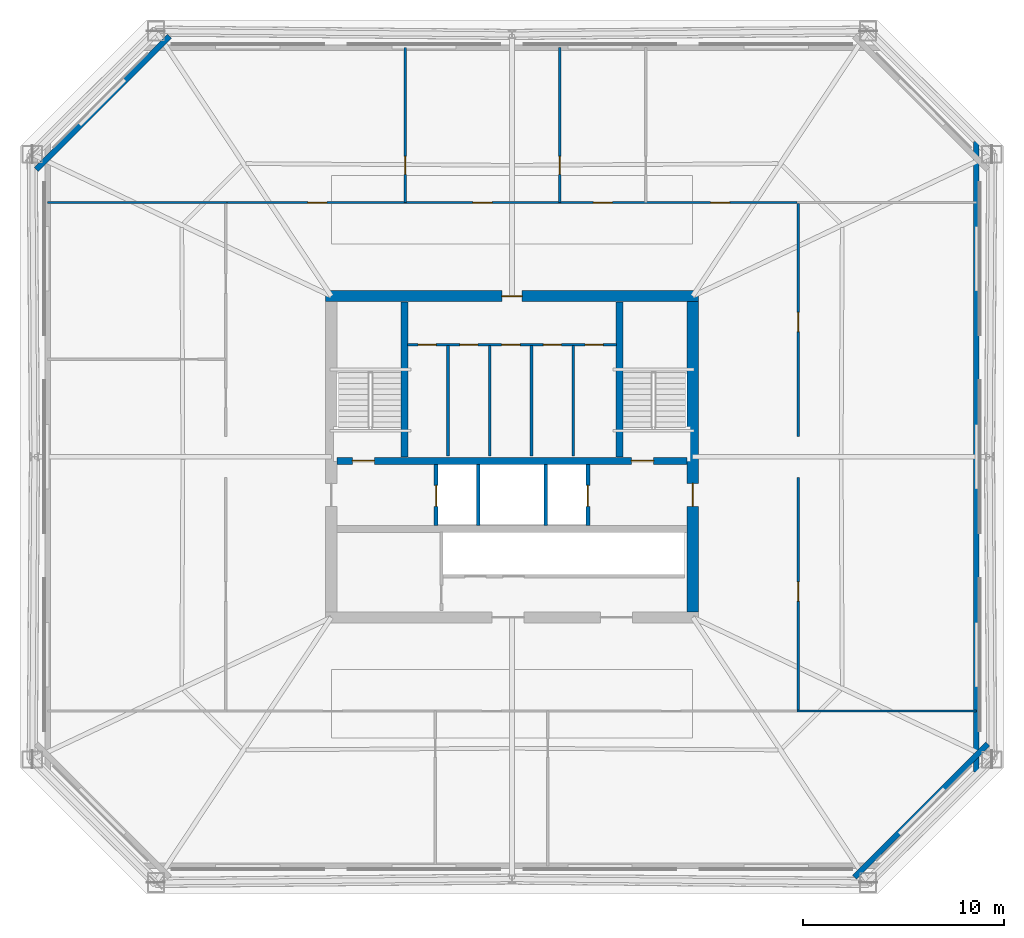
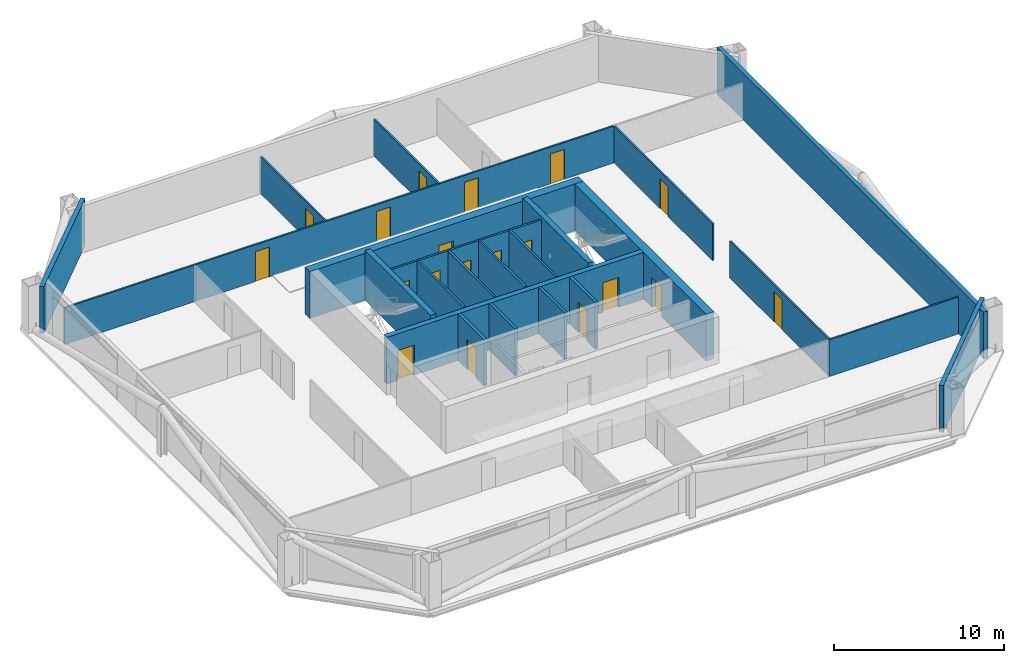
# One storey, part 3 of 6: 24 walls, 19 doors, 19 openings.
"""IFC4 building model written with IfcOpenShell, lengths in metres."""

import ifcopenshell
import ifcopenshell.guid

model = None  # the IFC model being written
_history = None  # IfcOwnerHistory: only IFC2X3 demands one
_inside = {}  # id of a spatial element -> (the spatial element, [elements in it])
_under = {}  # id of a project, library or spatial element -> (it, [spatial elements below it])
_declared = {}  # id of a project -> (the project, [libraries it declares])
_typed = {}  # id of a type object -> (the type object, [elements of that type])
_made_of = {}  # id of a material, layer set ... -> (it, [elements and type objects made of it])


def new_model(schema):
    """Start an empty IFC model of exactly this schema.

    Asked for "IFC4X3", IfcOpenShell would pick the latest addendum, in which some entities
    have other attributes; the version numbers below select the first issue.
    IFC2X3 requires an IfcOwnerHistory on every rooted entity: one is made here for all.
    """
    global model, _history
    if schema == "IFC4X3":
        model = ifcopenshell.file(schema_version=(4, 3, 0, 0))
    else:
        model = ifcopenshell.file(schema=schema)
    _inside.clear()
    _under.clear()
    _declared.clear()
    _typed.clear()
    _made_of.clear()
    _history = None
    if model.schema == "IFC2X3":
        org = make("IfcOrganization", Name="unknown")
        user = make(
            "IfcPersonAndOrganization",
            ThePerson=make("IfcPerson", FamilyName="unknown"),
            TheOrganization=org,
        )
        app = make(
            "IfcApplication",
            ApplicationDeveloper=org,
            Version="unknown",
            ApplicationFullName="unknown",
            ApplicationIdentifier="unknown",
        )
        _history = make(
            "IfcOwnerHistory",
            OwningUser=user,
            OwningApplication=app,
            ChangeAction="ADDED",
            CreationDate=0,
        )
    return model


def make(cls, **values):
    """One entity of the class cls with the attributes given. An attribute that is None is left unset."""
    return model.create_entity(
        cls, **{name: value for name, value in values.items() if value is not None}
    )


def rooted(cls, **values):
    """An entity with a GlobalId (a new one), such as an element, a storey or a relation."""
    return make(cls, GlobalId=ifcopenshell.guid.new(), OwnerHistory=_history, **values)


def si_unit(unit_type, name, prefix=None):
    """IfcSIUnit, for example si_unit("LENGTHUNIT", "METRE", prefix="MILLI")."""
    return make("IfcSIUnit", UnitType=unit_type, Prefix=prefix, Name=name)


def assignment(units):
    """IfcUnitAssignment: the units of a project."""
    return None if units is None else make("IfcUnitAssignment", Units=units)


def point(xyz):
    """IfcCartesianPoint."""
    return None if xyz is None else make("IfcCartesianPoint", Coordinates=xyz)


def direction(xyz):
    """IfcDirection."""
    return None if xyz is None else make("IfcDirection", DirectionRatios=xyz)


def frame(location, z_axis=None, x_axis=None):
    """IfcAxis2Placement3D, a coordinate frame: its origin and axes. An axis left out is left unset."""
    return make(
        "IfcAxis2Placement3D",
        Location=point(location),
        Axis=direction(z_axis),
        RefDirection=direction(x_axis),
    )


def frame_2d(location, x_axis=None):
    """IfcAxis2Placement2D, a coordinate frame in the plane: its origin and x axis."""
    return make(
        "IfcAxis2Placement2D", Location=point(location), RefDirection=direction(x_axis)
    )


def origin():
    """The frame at (0, 0, 0) with its axes left unset."""
    return frame((0.0, 0.0, 0.0))


def place(relative_to, where):
    """IfcLocalPlacement: puts the frame where relative to a parent placement (None: the world)."""
    return make(
        "IfcLocalPlacement", PlacementRelTo=relative_to, RelativePlacement=where
    )


def context(
    kind, dimensions, precision=None, world=None, true_north=None, identifier=None
):
    """IfcGeometricRepresentationContext, for example the 3D "Model" context."""
    return make(
        "IfcGeometricRepresentationContext",
        ContextIdentifier=identifier,
        ContextType=kind,
        CoordinateSpaceDimension=dimensions,
        Precision=precision,
        WorldCoordinateSystem=world,
        TrueNorth=true_north,
    )


def subcontext(parent, identifier, kind, view, scale=None):
    """IfcGeometricRepresentationSubContext, for example "Body" below "Model"."""
    return make(
        "IfcGeometricRepresentationSubContext",
        ContextIdentifier=identifier,
        ContextType=kind,
        ParentContext=parent,
        TargetScale=scale,
        TargetView=view,
    )


def project(units=None, contexts=None):
    """IfcProject with its units and contexts."""
    return rooted(
        "IfcProject",
        Name="project",
        RepresentationContexts=contexts,
        UnitsInContext=assignment(units),
    )


def spatial(cls, under=None, at=None, **own):
    """A site, building, storey or space (cls), placed at a placement, below another one or the project."""
    s = rooted(cls, ObjectPlacement=at, **own)
    if under is not None:
        _under.setdefault(under.id(), (under, []))[1].append(s)
    return s


def profile(cls, at=None, kind="AREA", **sizes):
    """A parametric profile (cls). Its sizes go by their IFC names, for example OverallWidth=200.0."""
    return make(cls, ProfileType=kind, Position=at, **sizes)


def rectangle(**sizes):
    """IfcRectangleProfileDef."""
    return profile("IfcRectangleProfileDef", **sizes)


def extrude(swept, where, along, depth):
    """IfcExtrudedAreaSolid: the profile swept, set in the frame where, extruded along a direction by depth."""
    return make(
        "IfcExtrudedAreaSolid",
        SweptArea=swept,
        Position=where,
        ExtrudedDirection=direction(along),
        Depth=depth,
    )


def shape(context_of_items, identifier, shape_type, items):
    """IfcShapeRepresentation: the items that make up one representation, for example the "Body"."""
    return make(
        "IfcShapeRepresentation",
        ContextOfItems=context_of_items,
        RepresentationIdentifier=identifier,
        RepresentationType=shape_type,
        Items=items,
    )


def material(Name=None, Category=None):
    """IfcMaterial."""
    return make("IfcMaterial", Name=Name, Category=Category)


def layer(
    of_material, thickness, ventilated=None, Name=None, Category=None, Priority=None
):
    """IfcMaterialLayer: one layer of a wall or slab, of a material (None: an air gap)."""
    return make(
        "IfcMaterialLayer",
        Material=of_material,
        LayerThickness=thickness,
        IsVentilated=ventilated,
        Name=Name,
        Category=Category,
        Priority=Priority,
    )


def layer_set(layers, Name=None):
    """IfcMaterialLayerSet."""
    return make("IfcMaterialLayerSet", MaterialLayers=layers, LayerSetName=Name)


def made_of(thing, what):
    """Note that an element or type object is made of a material, layer set ...; save() writes the relation."""
    if what is not None:
        _made_of.setdefault(what.id(), (what, []))[1].append(thing)
    return thing


def type_object(cls, material=None, **own):
    """A type object (cls), such as IfcWallType, which elements share."""
    return made_of(rooted(cls, **own), material)


def element(
    cls,
    number,
    at=None,
    inside=None,
    cuts=None,
    type_object=None,
    material=None,
    context=None,
    identifier="Body",
    shape_type=None,
    held_by="IfcProductDefinitionShape",
    body=None,
    shapes=None,
    **own,
):
    """One element of the class cls, such as IfcWall. Its Tag is "e" and its number.

    at: its placement. inside: the storey or other place that contains it. cuts: it is an
    opening in that element (IfcRelVoidsElement). A single representation is given by context,
    identifier, shape_type and body (its items); several are given by shapes. held_by: the class
    of the entity that holds the representations. save() writes the other relations.
    """
    e = rooted(cls, Tag="e%d" % number, ObjectPlacement=at, **own)
    if body is not None:
        shapes = [shape(context, identifier, shape_type, body)]
    if shapes is not None:
        e.Representation = make(held_by, Representations=shapes)
    if inside is not None:
        _inside.setdefault(inside.id(), (inside, []))[1].append(e)
    if cuts is not None:
        rooted(
            "IfcRelVoidsElement", RelatingBuildingElement=cuts, RelatedOpeningElement=e
        )
    if type_object is not None:
        _typed.setdefault(type_object.id(), (type_object, []))[1].append(e)
    return made_of(e, material)


def fill(opening, filler):
    """IfcRelFillsElement: the door or window that sits in an opening."""
    return rooted(
        "IfcRelFillsElement",
        RelatingOpeningElement=opening,
        RelatedBuildingElement=filler,
    )


def aggregate(whole, parts):
    """IfcRelAggregates: a whole, such as a stair, and the parts it consists of."""
    return rooted("IfcRelAggregates", RelatingObject=whole, RelatedObjects=parts)


def save(model, path):
    """Write the relations noted so far, then the file.

    IfcRelAggregates (storeys below a building ...), IfcRelContainedInSpatialStructure (elements
    in a storey), IfcRelDefinesByType, IfcRelAssociatesMaterial and IfcRelDeclares: one each for
    every whole, place, type object, material and project.
    """
    for whole, parts in _under.values():
        aggregate(whole, parts)
    for where, things in _inside.values():
        rooted(
            "IfcRelContainedInSpatialStructure",
            RelatedElements=things,
            RelatingStructure=where,
        )
    for kind, things in _typed.values():
        rooted("IfcRelDefinesByType", RelatedObjects=things, RelatingType=kind)
    for what, things in _made_of.values():
        rooted("IfcRelAssociatesMaterial", RelatedObjects=things, RelatingMaterial=what)
    for by, libraries in _declared.values():
        rooted("IfcRelDeclares", RelatingContext=by, RelatedDefinitions=libraries)
    model.write(path)


model = new_model("IFC4")

# Units and contexts
model_context = context("Model", 3, precision=1e-05, world=origin(), true_north=direction((0.0, 1.0)))
body_context = subcontext(model_context, "Body", "Model", "MODEL_VIEW")
ifc_project = project(units=[si_unit("LENGTHUNIT", "METRE"), si_unit("AREAUNIT", "SQUARE_METRE"), si_unit("VOLUMEUNIT", "CUBIC_METRE"), si_unit("PLANEANGLEUNIT", "RADIAN"), si_unit("MASSUNIT", "GRAM", prefix="KILO")], contexts=[model_context])

# Site, building, storey
site_placement = place(None, origin())
site = spatial("IfcSite", under=ifc_project, at=site_placement, CompositionType="ELEMENT")
building_placement = place(site_placement, origin())
building = spatial("IfcBuilding", under=site, at=building_placement, Name="Caelvoria Tower", CompositionType="ELEMENT")
storey_placement = place(building_placement, frame((0.0, 0.0, 149.199951171875)))
storey = spatial("IfcBuildingStorey", under=building, at=storey_placement, Name="L39", CompositionType="ELEMENT", Elevation=149.199951171875)

# Wall, openings, doors
ifc_material_1 = material(Name="Concrete C50/60", Category="concrete")
ifc_layer_1 = layer(ifc_material_1, 0.35009765625, Name="Concrete C50/60")
ifc_layer_set_1 = layer_set([ifc_layer_1], Name="Core Internal Shear Wall 350 - Concrete C50/60")
wall_type_1 = type_object("IfcWallType", Name="Core Internal Shear Wall 350", PredefinedType="SHEAR", material=ifc_layer_set_1)
wall_1_placement = place(storey_placement, frame((37.27490234375, 31.800048828125, 0.0), z_axis=(0.0, 0.0, 1.0), x_axis=(1.0, 0.0, 0.0)))
wall_1 = element("IfcWall", 1, at=wall_1_placement, inside=storey, type_object=wall_type_1, Name="Core Shear Wall L39 M1", PredefinedType="SHEAR", context=body_context, shape_type="SweptSolid", body=[
    extrude(rectangle(XDim=17.4501953125, YDim=0.35009765625, at=frame_2d((8.72509765625, 0.0))), origin(), (0.0, 0.0, 1.0), 3.360107421875),
])
opening_1_placement = place(wall_1_placement, frame((0.77490234375, 0.0, 0.0)))
opening_1 = element("IfcOpeningElement", 2, at=opening_1_placement, cuts=wall_1, Name="Opening ID-01", PredefinedType="OPENING", context=body_context, shape_type="SweptSolid", body=[
    extrude(rectangle(XDim=1.10009765625, YDim=2.14990234375, at=frame_2d((0.550048828125, 1.074951171875))), frame((0.0, 0.18505859375, 0.0), z_axis=(0.0, -1.0, 0.0), x_axis=(1.0, 0.0, 0.0)), (0.0, 0.0, 1.0), 0.3701171875),
])
opening_2_placement = place(wall_1_placement, frame((14.675048828125, 0.0, 0.0)))
opening_2 = element("IfcOpeningElement", 3, at=opening_2_placement, cuts=wall_1, Name="Opening ID-01", PredefinedType="OPENING", context=body_context, shape_type="SweptSolid", body=[
    extrude(rectangle(XDim=1.10009765625, YDim=2.14990234375, at=frame_2d((0.550048828125, 1.074951171875))), frame((0.0, 0.18505859375, 0.0), z_axis=(0.0, -1.0, 0.0), x_axis=(1.0, 0.0, 0.0)), (0.0, 0.0, 1.0), 0.3701171875),
])
ifc_material_2 = material(Name="Painted Hollow Steel Fire Door", Category="steel")
door_type_1 = type_object("IfcDoorType", Name="Fire Door FD90S 1100x2150", OperationType="NOTDEFINED", PredefinedType="DOOR", material=ifc_material_2)
door_1_placement = place(opening_1_placement, origin())
door_1 = element("IfcDoor", 4, at=door_1_placement, inside=storey, type_object=door_type_1, Name="Core Door DR-L39-ST1", OperationType="SINGLE_SWING_LEFT", OverallHeight=2.14990234375, OverallWidth=1.10009765625, PredefinedType="DOOR", context=body_context, shape_type="SweptSolid", body=[
    extrude(rectangle(XDim=1.10009765625, YDim=2.14990234375, at=frame_2d((0.550048828125, 1.074951171875))), frame((0.0, 0.02490234375, 0.0), z_axis=(0.0, -1.0, 0.0), x_axis=(1.0, 0.0, 0.0)), (0.0, 0.0, 1.0), 0.050048828125),
])
fill(opening_1, door_1)
door_2_placement = place(opening_2_placement, origin())
door_2 = element("IfcDoor", 5, at=door_2_placement, inside=storey, type_object=door_type_1, Name="Core Door DR-L39-ST2", OperationType="SINGLE_SWING_RIGHT", OverallHeight=2.14990234375, OverallWidth=1.10009765625, PredefinedType="DOOR", context=body_context, shape_type="SweptSolid", body=[
    extrude(rectangle(XDim=1.10009765625, YDim=2.14990234375, at=frame_2d((0.550048828125, 1.074951171875))), frame((0.0, 0.02490234375, 0.0), z_axis=(0.0, -1.0, 0.0), x_axis=(1.0, 0.0, 0.0)), (0.0, 0.0, 1.0), 0.050048828125),
])
fill(opening_2, door_2)

# Walls
for number, where, z_axis, x_axis, name in (
    (6, (40.64990234375, 32.0, 0.0), (0.0, 0.0, 1.0), (0.0, 1.0, 0.0), "Interior Partition IW-L39-ST1E"),
    (7, (51.35009765625, 32.0, 0.0), (0.0, 0.0, 1.0), (0.0, 1.0, 0.0), "Interior Partition IW-L39-ST2W"),
):
    element("IfcWall", number, at=place(storey_placement, frame(where, z_axis=z_axis, x_axis=x_axis)), inside=storey, type_object=wall_type_1, Name=name, PredefinedType="SHEAR", context=body_context, shape_type="SweptSolid", body=[
        extrude(rectangle(XDim=7.699951171875, YDim=0.35009765625, at=frame_2d((3.85009765625, 0.0))), origin(), (0.0, 0.0, 1.0), 3.60009765625),
    ])
ifc_material_3 = material(Name="Moisture-Resistant Gypsum on Steel Stud", Category="steel")
ifc_layer_2 = layer(ifc_material_3, 0.139892578125, Name="Moisture-Resistant Gypsum on Steel Stud")
ifc_layer_set_2 = layer_set([ifc_layer_2], Name="Core Sanitary Acoustic Partition Wall 140 - Moisture-Resistant Gypsum on Steel Stud")
wall_type_2 = type_object("IfcWallType", Name="Core Sanitary Acoustic Partition Wall 140", PredefinedType="PARTITIONING", material=ifc_layer_set_2)
for number, where, z_axis, x_axis, name in (
    (8, (42.81005859375, 32.050048828125, 0.0), (0.0, 0.0, 1.0), (0.0, 1.0, 0.0), "Interior Partition IW-L39-C1V0"),
    (9, (44.889892578125, 32.050048828125, 0.0), (0.0, 0.0, 1.0), (0.0, 1.0, 0.0), "Interior Partition IW-L39-C1V1"),
    (10, (46.969970703125, 32.050048828125, 0.0), (0.0, 0.0, 1.0), (0.0, 1.0, 0.0), "Interior Partition IW-L39-C1V2"),
    (11, (49.050048828125, 32.050048828125, 0.0), (0.0, 0.0, 1.0), (0.0, 1.0, 0.0), "Interior Partition IW-L39-C1V3"),
):
    element("IfcWall", number, at=place(storey_placement, frame(where, z_axis=z_axis, x_axis=x_axis)), inside=storey, type_object=wall_type_2, Name=name, PredefinedType="PARTITIONING", context=body_context, shape_type="SweptSolid", body=[
        extrude(rectangle(XDim=5.5, YDim=0.139892578125, at=frame_2d((2.75, 0.0))), origin(), (0.0, 0.0, 1.0), 3.360107421875),
    ])

# Wall, openings, doors
wall_2_placement = place(storey_placement, frame((40.800048828125, 37.580078125, 0.0), z_axis=(0.0, 0.0, 1.0), x_axis=(1.0, 0.0, 0.0)))
wall_2 = element("IfcWall", 12, at=wall_2_placement, inside=storey, type_object=wall_type_2, Name="Interior Partition IW-L39-C1H", PredefinedType="PARTITIONING", context=body_context, shape_type="SweptSolid", body=[
    extrude(rectangle(XDim=10.39990234375, YDim=0.139892578125, at=frame_2d((5.199951171875, 0.0))), origin(), (0.0, 0.0, 1.0), 3.360107421875),
])
opening_3_placement = place(wall_2_placement, frame((0.52001953125, 0.0, 0.0)))
opening_3 = element("IfcOpeningElement", 13, at=opening_3_placement, cuts=wall_2, Name="Opening ID-06", PredefinedType="OPENING", context=body_context, shape_type="SweptSolid", body=[
    extrude(rectangle(XDim=0.89990234375, YDim=2.14990234375, at=frame_2d((0.449951171875, 1.074951171875))), frame((0.0, 0.079833984375, 0.0), z_axis=(0.0, -1.0, 0.0), x_axis=(1.0, 0.0, 0.0)), (0.0, 0.0, 1.0), 0.159912109375),
])
opening_4_placement = place(wall_2_placement, frame((2.60009765625, 0.0, 0.0)))
opening_4 = element("IfcOpeningElement", 14, at=opening_4_placement, cuts=wall_2, Name="Opening ID-06", PredefinedType="OPENING", context=body_context, shape_type="SweptSolid", body=[
    extrude(rectangle(XDim=0.89990234375, YDim=2.14990234375, at=frame_2d((0.449951171875, 1.074951171875))), frame((0.0, 0.079833984375, 0.0), z_axis=(0.0, -1.0, 0.0), x_axis=(1.0, 0.0, 0.0)), (0.0, 0.0, 1.0), 0.159912109375),
])
opening_5_placement = place(wall_2_placement, frame((4.679931640625, 0.0, 0.0)))
opening_5 = element("IfcOpeningElement", 15, at=opening_5_placement, cuts=wall_2, Name="Opening ID-07", PredefinedType="OPENING", context=body_context, shape_type="SweptSolid", body=[
    extrude(rectangle(XDim=0.919921875, YDim=2.14990234375, at=frame_2d((0.4599609375, 1.074951171875))), frame((0.0, 0.079833984375, 0.0), z_axis=(0.0, -1.0, 0.0), x_axis=(1.0, 0.0, 0.0)), (0.0, 0.0, 1.0), 0.159912109375),
])
opening_6_placement = place(wall_2_placement, frame((6.760009765625, 0.0, 0.0)))
opening_6 = element("IfcOpeningElement", 16, at=opening_6_placement, cuts=wall_2, Name="Opening ID-06", PredefinedType="OPENING", context=body_context, shape_type="SweptSolid", body=[
    extrude(rectangle(XDim=0.89990234375, YDim=2.14990234375, at=frame_2d((0.449951171875, 1.074951171875))), frame((0.0, 0.079833984375, 0.0), z_axis=(0.0, -1.0, 0.0), x_axis=(1.0, 0.0, 0.0)), (0.0, 0.0, 1.0), 0.159912109375),
])
opening_7_placement = place(wall_2_placement, frame((8.840087890625, 0.0, 0.0)))
opening_7 = element("IfcOpeningElement", 17, at=opening_7_placement, cuts=wall_2, Name="Opening ID-06", PredefinedType="OPENING", context=body_context, shape_type="SweptSolid", body=[
    extrude(rectangle(XDim=0.89990234375, YDim=2.14990234375, at=frame_2d((0.449951171875, 1.074951171875))), frame((0.0, 0.079833984375, 0.0), z_axis=(0.0, -1.0, 0.0), x_axis=(1.0, 0.0, 0.0)), (0.0, 0.0, 1.0), 0.159912109375),
])
ifc_material_4 = material(Name="Engineered Andean Oak Accessible Door", Category="wood")
door_type_2 = type_object("IfcDoorType", Name="Accessible WC Door 950x2150", OperationType="NOTDEFINED", PredefinedType="DOOR", material=ifc_material_4)
door_3_placement = place(opening_5_placement, origin())
door_3 = element("IfcDoor", 18, at=door_3_placement, inside=storey, type_object=door_type_2, Name="Interior Door DR-L39-C1-3", OperationType="SINGLE_SWING_LEFT", OverallHeight=2.14990234375, OverallWidth=0.919921875, PredefinedType="DOOR", context=body_context, shape_type="SweptSolid", body=[
    extrude(rectangle(XDim=0.919921875, YDim=2.14990234375, at=frame_2d((0.4599609375, 1.074951171875))), frame((0.0, 0.02490234375, 0.0), z_axis=(0.0, -1.0, 0.0), x_axis=(1.0, 0.0, 0.0)), (0.0, 0.0, 1.0), 0.050048828125),
])
fill(opening_5, door_3)
ifc_material_5 = material(Name="Engineered Andean Oak Veneer Door", Category="wood")
door_type_3 = type_object("IfcDoorType", Name="Interior Timber Door 900x2150", OperationType="NOTDEFINED", PredefinedType="DOOR", material=ifc_material_5)
door_4_placement = place(opening_3_placement, origin())
door_4 = element("IfcDoor", 19, at=door_4_placement, inside=storey, type_object=door_type_3, Name="Interior Door DR-L39-C1-1", OperationType="SINGLE_SWING_LEFT", OverallHeight=2.14990234375, OverallWidth=0.89990234375, PredefinedType="DOOR", context=body_context, shape_type="SweptSolid", body=[
    extrude(rectangle(XDim=0.89990234375, YDim=2.14990234375, at=frame_2d((0.449951171875, 1.074951171875))), frame((0.0, 0.02490234375, 0.0), z_axis=(0.0, -1.0, 0.0), x_axis=(1.0, 0.0, 0.0)), (0.0, 0.0, 1.0), 0.050048828125),
])
fill(opening_3, door_4)
door_5_placement = place(opening_4_placement, origin())
door_5 = element("IfcDoor", 20, at=door_5_placement, inside=storey, type_object=door_type_3, Name="Interior Door DR-L39-C1-2", OperationType="SINGLE_SWING_RIGHT", OverallHeight=2.14990234375, OverallWidth=0.89990234375, PredefinedType="DOOR", context=body_context, shape_type="SweptSolid", body=[
    extrude(rectangle(XDim=0.89990234375, YDim=2.14990234375, at=frame_2d((0.449951171875, 1.074951171875))), frame((0.0, 0.02490234375, 0.0), z_axis=(0.0, -1.0, 0.0), x_axis=(1.0, 0.0, 0.0)), (0.0, 0.0, 1.0), 0.050048828125),
])
fill(opening_4, door_5)
door_6_placement = place(opening_6_placement, origin())
door_6 = element("IfcDoor", 21, at=door_6_placement, inside=storey, type_object=door_type_3, Name="Interior Door DR-L39-C1-4", OperationType="SINGLE_SWING_RIGHT", OverallHeight=2.14990234375, OverallWidth=0.89990234375, PredefinedType="DOOR", context=body_context, shape_type="SweptSolid", body=[
    extrude(rectangle(XDim=0.89990234375, YDim=2.14990234375, at=frame_2d((0.449951171875, 1.074951171875))), frame((0.0, 0.02490234375, 0.0), z_axis=(0.0, -1.0, 0.0), x_axis=(1.0, 0.0, 0.0)), (0.0, 0.0, 1.0), 0.050048828125),
])
fill(opening_6, door_6)
door_7_placement = place(opening_7_placement, origin())
door_7 = element("IfcDoor", 22, at=door_7_placement, inside=storey, type_object=door_type_3, Name="Interior Door DR-L39-C1-5", OperationType="SINGLE_SWING_LEFT", OverallHeight=2.14990234375, OverallWidth=0.89990234375, PredefinedType="DOOR", context=body_context, shape_type="SweptSolid", body=[
    extrude(rectangle(XDim=0.89990234375, YDim=2.14990234375, at=frame_2d((0.449951171875, 1.074951171875))), frame((0.0, 0.02490234375, 0.0), z_axis=(0.0, -1.0, 0.0), x_axis=(1.0, 0.0, 0.0)), (0.0, 0.0, 1.0), 0.050048828125),
])
fill(opening_7, door_7)

# Walls
ifc_material_6 = material(Name="Precast Concrete C40/50 with Bronze Cladding", Category="concrete")
ifc_layer_3 = layer(ifc_material_6, 0.280029296875, Name="Precast Concrete C40/50 with Bronze Cladding")
ifc_layer_set_3 = layer_set([ifc_layer_3], Name="Exterior Precast Concrete C40/50 Bronze-Clad Facade Wall 280 - Precast Concrete C40/50 with Bronze Cladding")
wall_type_3 = type_object("IfcWallType", Name="Exterior Precast Concrete C40/50 Bronze-Clad Facade Wall 280", PredefinedType="STANDARD", material=ifc_layer_set_3)
wall_3_placement = place(storey_placement, frame((63.054443359375, 11.05615234375, 0.0), z_axis=(0.0, 0.0, 1.0), x_axis=(0.707106781187, 0.707106781187, 0.0)))
element("IfcWall", 23, at=wall_3_placement, inside=storey, type_object=wall_type_3, Name="Exterior Facade Wall L39-E1", PredefinedType="STANDARD", context=body_context, shape_type="SweptSolid", body=[
    extrude(rectangle(XDim=9.3896484375, YDim=0.280029296875, at=frame_2d((4.69482421875, 0.0))), origin(), (0.0, 0.0, 1.0), 3.360107421875),
])
wall_4_placement = place(storey_placement, frame((69.1201171875, 16.31005859375, 0.0), z_axis=(0.0, 0.0, 1.0), x_axis=(0.0, 1.0, 0.0)))
element("IfcWall", 24, at=wall_4_placement, inside=storey, type_object=wall_type_3, Name="Exterior Facade Wall L39-E2", PredefinedType="STANDARD", context=body_context, shape_type="SweptSolid", body=[
    extrude(rectangle(XDim=31.3798828125, YDim=0.280029296875, at=frame_2d((15.68994140625, 0.0))), origin(), (0.0, 0.0, 1.0), 3.360107421875),
])
wall_5_placement = place(storey_placement, frame((28.945556640625, 52.94384765625, 0.0), z_axis=(0.0, 0.0, 1.0), x_axis=(-0.707106781187, -0.707106781187, 0.0)))
element("IfcWall", 25, at=wall_5_placement, inside=storey, type_object=wall_type_3, Name="Exterior Facade Wall L39-E5", PredefinedType="STANDARD", context=body_context, shape_type="SweptSolid", body=[
    extrude(rectangle(XDim=9.3896484375, YDim=0.280029296875, at=frame_2d((4.69482421875, 0.0))), origin(), (0.0, 0.0, 1.0), 3.360107421875),
])
ifc_material_7 = material(Name="Concrete Block and Fireboard Assembly", Category="concrete")
ifc_layer_4 = layer(ifc_material_7, 0.179931640625, Name="Concrete Block and Fireboard Assembly")
ifc_layer_set_4 = layer_set([ifc_layer_4], Name="Fire-Rated Hoistway Partition Wall 180 - Concrete Block and Fireboard Assembly")
wall_type_4 = type_object("IfcWallType", Name="Fire-Rated Hoistway Partition Wall 180", PredefinedType="PARTITIONING", material=ifc_layer_set_4)
for number, where, z_axis, x_axis, name in (
    (26, (44.320068359375, 28.580078125, 0.0), (0.0, 0.0, 1.0), (0.0, 1.0, 0.0), "Interior Partition IW-L39-SV1W"),
    (27, (47.679931640625, 28.580078125, 0.0), (0.0, 0.0, 1.0), (0.0, 1.0, 0.0), "Interior Partition IW-L39-SV1E"),
):
    element("IfcWall", number, at=place(storey_placement, frame(where, z_axis=z_axis, x_axis=x_axis)), inside=storey, type_object=wall_type_4, Name=name, PredefinedType="PARTITIONING", context=body_context, shape_type="SweptSolid", body=[
        extrude(rectangle(XDim=3.0400390625, YDim=0.179931640625, at=frame_2d((1.52001953125, 0.0))), origin(), (0.0, 0.0, 1.0), 3.360107421875),
    ])

# Wall, opening, door
ifc_layer_5 = layer(ifc_material_7, 0.199951171875, Name="Concrete Block and Fireboard Assembly")
ifc_layer_set_5 = layer_set([ifc_layer_5], Name="Fire-Rated Shaft and Core Partition Wall 200 - Concrete Block and Fireboard Assembly")
wall_type_5 = type_object("IfcWallType", Name="Fire-Rated Shaft and Core Partition Wall 200", PredefinedType="PARTITIONING", material=ifc_layer_set_5)
wall_6_placement = place(storey_placement, frame((42.219970703125, 28.580078125, 0.0), z_axis=(0.0, 0.0, 1.0), x_axis=(0.0, 1.0, 0.0)))
wall_6 = element("IfcWall", 28, at=wall_6_placement, inside=storey, type_object=wall_type_5, Name="Interior Partition IW-L39-LF1W", PredefinedType="PARTITIONING", context=body_context, shape_type="SweptSolid", body=[
    extrude(rectangle(XDim=3.0400390625, YDim=0.199951171875, at=frame_2d((1.52001953125, 0.0))), origin(), (0.0, 0.0, 1.0), 3.360107421875),
])
opening_8_placement = place(wall_6_placement, frame((0.949951171875, 0.0, 0.0)))
opening_8 = element("IfcOpeningElement", 29, at=opening_8_placement, cuts=wall_6, Name="Opening LD-01", PredefinedType="OPENING", context=body_context, shape_type="SweptSolid", body=[
    extrude(rectangle(XDim=1.050048828125, YDim=2.14990234375, at=frame_2d((0.52490234375, 1.074951171875))), frame((0.0, 0.10986328125, 0.0), z_axis=(0.0, -1.0, 0.0), x_axis=(1.0, 0.0, 0.0)), (0.0, 0.0, 1.0), 0.219970703125),
])
ifc_material_8 = material(Name="Brushed Bronze Stainless Sliding Landing Door", Category="aluminium")
door_type_4 = type_object("IfcDoorType", Name="Lift Landing Sliding Door 1100x2150", OperationType="NOTDEFINED", PredefinedType="DOOR", material=ifc_material_8)
door_8_placement = place(opening_8_placement, origin())
door_8 = element("IfcDoor", 30, at=door_8_placement, inside=storey, type_object=door_type_4, Name="Interior Door LD-L39-LF1", OperationType="SLIDING_TO_LEFT", OverallHeight=2.14990234375, OverallWidth=1.050048828125, PredefinedType="DOOR", context=body_context, shape_type="SweptSolid", body=[
    extrude(rectangle(XDim=1.050048828125, YDim=2.14990234375, at=frame_2d((0.52490234375, 1.074951171875))), frame((0.0, 0.02490234375, 0.0), z_axis=(0.0, -1.0, 0.0), x_axis=(1.0, 0.0, 0.0)), (0.0, 0.0, 1.0), 0.050048828125),
])
fill(opening_8, door_8)

wall_7_placement = place(storey_placement, frame((49.780029296875, 28.580078125, 0.0), z_axis=(0.0, 0.0, 1.0), x_axis=(0.0, 1.0, 0.0)))
wall_7 = element("IfcWall", 31, at=wall_7_placement, inside=storey, type_object=wall_type_5, Name="Interior Partition IW-L39-LF2E", PredefinedType="PARTITIONING", context=body_context, shape_type="SweptSolid", body=[
    extrude(rectangle(XDim=3.0400390625, YDim=0.199951171875, at=frame_2d((1.52001953125, 0.0))), origin(), (0.0, 0.0, 1.0), 3.360107421875),
])
opening_9_placement = place(wall_7_placement, frame((0.949951171875, 0.0, 0.0)))
opening_9 = element("IfcOpeningElement", 32, at=opening_9_placement, cuts=wall_7, Name="Opening LD-01", PredefinedType="OPENING", context=body_context, shape_type="SweptSolid", body=[
    extrude(rectangle(XDim=1.050048828125, YDim=2.14990234375, at=frame_2d((0.52490234375, 1.074951171875))), frame((0.0, 0.10986328125, 0.0), z_axis=(0.0, -1.0, 0.0), x_axis=(1.0, 0.0, 0.0)), (0.0, 0.0, 1.0), 0.219970703125),
])
door_9_placement = place(opening_9_placement, origin())
door_9 = element("IfcDoor", 33, at=door_9_placement, inside=storey, type_object=door_type_4, Name="Interior Door LD-L39-LF2", OperationType="SLIDING_TO_RIGHT", OverallHeight=2.14990234375, OverallWidth=1.050048828125, PredefinedType="DOOR", context=body_context, shape_type="SweptSolid", body=[
    extrude(rectangle(XDim=1.050048828125, YDim=2.14990234375, at=frame_2d((0.52490234375, 1.074951171875))), frame((0.0, 0.02490234375, 0.0), z_axis=(0.0, -1.0, 0.0), x_axis=(1.0, 0.0, 0.0)), (0.0, 0.0, 1.0), 0.050048828125),
])
fill(opening_9, door_9)

ifc_material_9 = material(Name="Concrete C55/67", Category="concrete")
ifc_layer_6 = layer(ifc_material_9, 0.550048828125, Name="Concrete C55/67")
ifc_layer_set_6 = layer_set([ifc_layer_6], Name="Mid Core Shear Wall 550 - Concrete C55/67")
wall_type_6 = type_object("IfcWallType", Name="Mid Core Shear Wall 550", PredefinedType="SHEAR", material=ifc_layer_set_6)
wall_8_placement = place(storey_placement, frame((36.72509765625, 40.0, 0.0), z_axis=(0.0, 0.0, 1.0), x_axis=(1.0, 0.0, 0.0)))
wall_8 = element("IfcWall", 34, at=wall_8_placement, inside=storey, type_object=wall_type_6, Name="Core Shear Wall L39 N", PredefinedType="SHEAR", context=body_context, shape_type="SweptSolid", body=[
    extrude(rectangle(XDim=18.5498046875, YDim=0.550048828125, at=frame_2d((9.27490234375, 0.0))), origin(), (0.0, 0.0, 1.0), 3.360107421875),
])
opening_10_placement = place(wall_8_placement, frame((8.77490234375, 0.0, 0.0)))
opening_10 = element("IfcOpeningElement", 35, at=opening_10_placement, cuts=wall_8, Name="Opening ID-03", PredefinedType="OPENING", context=body_context, shape_type="SweptSolid", body=[
    extrude(rectangle(XDim=1.0, YDim=2.14990234375, at=frame_2d((0.5, 1.074951171875))), frame((0.0, 0.284912109375, 0.0), z_axis=(0.0, -1.0, 0.0), x_axis=(1.0, 0.0, 0.0)), (0.0, 0.0, 1.0), 0.570068359375),
])
door_type_5 = type_object("IfcDoorType", Name="Fire Door FD60S 1000x2150", OperationType="NOTDEFINED", PredefinedType="DOOR", material=ifc_material_2)
door_10_placement = place(opening_10_placement, origin())
door_10 = element("IfcDoor", 36, at=door_10_placement, inside=storey, type_object=door_type_5, Name="Core Door DR-L39-WC-MAIN", OperationType="SINGLE_SWING_RIGHT", OverallHeight=2.14990234375, OverallWidth=1.0, PredefinedType="DOOR", context=body_context, shape_type="SweptSolid", body=[
    extrude(rectangle(XDim=1.0, YDim=2.14990234375, at=frame_2d((0.5, 1.074951171875))), frame((0.0, 0.02490234375, 0.0), z_axis=(0.0, -1.0, 0.0), x_axis=(1.0, 0.0, 0.0)), (0.0, 0.0, 1.0), 0.050048828125),
])
fill(opening_10, door_10)

wall_9_placement = place(storey_placement, frame((55.0, 24.27490234375, 0.0), z_axis=(0.0, 0.0, 1.0), x_axis=(0.0, 1.0, 0.0)))
wall_9 = element("IfcWall", 37, at=wall_9_placement, inside=storey, type_object=wall_type_6, Name="Core Shear Wall L39 E", PredefinedType="SHEAR", context=body_context, shape_type="SweptSolid", body=[
    extrude(rectangle(XDim=15.4501953125, YDim=0.550048828125, at=frame_2d((7.72509765625, 0.0))), origin(), (0.0, 0.0, 1.0), 3.360107421875),
])
opening_11_placement = place(wall_9_placement, frame((5.25, 0.0, 0.0)))
opening_11 = element("IfcOpeningElement", 38, at=opening_11_placement, cuts=wall_9, Name="Opening ID-02", PredefinedType="OPENING", context=body_context, shape_type="SweptSolid", body=[
    extrude(rectangle(XDim=1.14990234375, YDim=2.14990234375, at=frame_2d((0.574951171875, 1.074951171875))), frame((0.0, 0.284912109375, 0.0), z_axis=(0.0, -1.0, 0.0), x_axis=(1.0, 0.0, 0.0)), (0.0, 0.0, 1.0), 0.570068359375),
])
door_type_6 = type_object("IfcDoorType", Name="Fire Door FD60S 1150x2150", OperationType="NOTDEFINED", PredefinedType="DOOR", material=ifc_material_2)
door_11_placement = place(opening_11_placement, origin())
door_11 = element("IfcDoor", 39, at=door_11_placement, inside=storey, type_object=door_type_6, Name="Core Door DR-L39-FFLE-OUT", OperationType="SINGLE_SWING_RIGHT", OverallHeight=2.14990234375, OverallWidth=1.14990234375, PredefinedType="DOOR", context=body_context, shape_type="SweptSolid", body=[
    extrude(rectangle(XDim=1.14990234375, YDim=2.14990234375, at=frame_2d((0.574951171875, 1.074951171875))), frame((0.0, 0.02490234375, 0.0), z_axis=(0.0, -1.0, 0.0), x_axis=(1.0, 0.0, 0.0)), (0.0, 0.0, 1.0), 0.050048828125),
])
fill(opening_11, door_11)

ifc_material_10 = material(Name="Acoustic Gypsum Board on Light-Gauge Stud", Category="gypsum")
ifc_layer_7 = layer(ifc_material_10, 0.1201171875, Name="Acoustic Gypsum Board on Light-Gauge Stud")
ifc_layer_set_7 = layer_set([ifc_layer_7], Name="Tenant Suite Acoustic Partition Wall 120 - Acoustic Gypsum Board on Light-Gauge Stud")
wall_type_7 = type_object("IfcWallType", Name="Tenant Suite Acoustic Partition Wall 120", PredefinedType="PARTITIONING", material=ifc_layer_set_7)
wall_10_placement = place(storey_placement, frame((40.682861328125, 44.659912109375, 0.0), z_axis=(0.0, 0.0, 1.0), x_axis=(0.0, 1.0, 0.0)))
wall_10 = element("IfcWall", 40, at=wall_10_placement, inside=storey, type_object=wall_type_7, Name="Interior Partition IW-L39-ND-00-0", PredefinedType="PARTITIONING", context=body_context, shape_type="SweptSolid", body=[
    extrude(rectangle(XDim=7.710205078125, YDim=0.1201171875, at=frame_2d((3.85498046875, 0.0))), origin(), (0.0, 0.0, 1.0), 2.64013671875),
])
opening_12_placement = place(wall_10_placement, frame((1.39990234375, 0.0, 0.0)))
opening_12 = element("IfcOpeningElement", 41, at=opening_12_placement, cuts=wall_10, Name="Opening ID-06", PredefinedType="OPENING", context=body_context, shape_type="SweptSolid", body=[
    extrude(rectangle(XDim=0.89990234375, YDim=2.14990234375, at=frame_2d((0.449951171875, 1.074951171875))), frame((0.0, 0.070068359375, 0.0), z_axis=(0.0, -1.0, 0.0), x_axis=(1.0, 0.0, 0.0)), (0.0, 0.0, 1.0), 0.14013671875),
])
door_12_placement = place(opening_12_placement, origin())
door_12 = element("IfcDoor", 42, at=door_12_placement, inside=storey, type_object=door_type_3, Name="Interior Door DR-L39-NM-00-0", OperationType="SINGLE_SWING_RIGHT", OverallHeight=2.14990234375, OverallWidth=0.89990234375, PredefinedType="DOOR", context=body_context, shape_type="SweptSolid", body=[
    extrude(rectangle(XDim=0.89990234375, YDim=2.14990234375, at=frame_2d((0.449951171875, 1.074951171875))), frame((0.0, 0.02490234375, 0.0), z_axis=(0.0, -1.0, 0.0), x_axis=(1.0, 0.0, 0.0)), (0.0, 0.0, 1.0), 0.050048828125),
])
fill(opening_12, door_12)

wall_11_placement = place(storey_placement, frame((48.379638671875, 44.659912109375, 0.0), z_axis=(0.0, 0.0, 1.0), x_axis=(0.0, 1.0, 0.0)))
wall_11 = element("IfcWall", 43, at=wall_11_placement, inside=storey, type_object=wall_type_7, Name="Interior Partition IW-L39-ND-01-0", PredefinedType="PARTITIONING", context=body_context, shape_type="SweptSolid", body=[
    extrude(rectangle(XDim=7.710205078125, YDim=0.1201171875, at=frame_2d((3.85498046875, 0.0))), origin(), (0.0, 0.0, 1.0), 2.64013671875),
])
opening_13_placement = place(wall_11_placement, frame((1.39990234375, 0.0, 0.0)))
opening_13 = element("IfcOpeningElement", 44, at=opening_13_placement, cuts=wall_11, Name="Opening ID-06", PredefinedType="OPENING", context=body_context, shape_type="SweptSolid", body=[
    extrude(rectangle(XDim=0.89990234375, YDim=2.14990234375, at=frame_2d((0.449951171875, 1.074951171875))), frame((0.0, 0.070068359375, 0.0), z_axis=(0.0, -1.0, 0.0), x_axis=(1.0, 0.0, 0.0)), (0.0, 0.0, 1.0), 0.14013671875),
])
door_13_placement = place(opening_13_placement, origin())
door_13 = element("IfcDoor", 45, at=door_13_placement, inside=storey, type_object=door_type_3, Name="Interior Door DR-L39-NM-01-0", OperationType="SINGLE_SWING_LEFT", OverallHeight=2.14990234375, OverallWidth=0.89990234375, PredefinedType="DOOR", context=body_context, shape_type="SweptSolid", body=[
    extrude(rectangle(XDim=0.89990234375, YDim=2.14990234375, at=frame_2d((0.449951171875, 1.074951171875))), frame((0.0, 0.02490234375, 0.0), z_axis=(0.0, -1.0, 0.0), x_axis=(1.0, 0.0, 0.0)), (0.0, 0.0, 1.0), 0.050048828125),
])
fill(opening_13, door_13)

# Wall, openings, doors
wall_12_placement = place(storey_placement, frame((31.800048828125, 44.659912109375, 0.0), z_axis=(0.0, 0.0, 1.0), x_axis=(1.0, 0.0, 0.0)))
wall_12 = element("IfcWall", 46, at=wall_12_placement, inside=storey, type_object=wall_type_7, Name="Interior Partition IW-L39-NCW-0", PredefinedType="PARTITIONING", context=body_context, shape_type="SweptSolid", body=[
    extrude(rectangle(XDim=28.39990234375, YDim=0.1201171875, at=frame_2d((14.199951171875, 0.0))), origin(), (0.0, 0.0, 1.0), 2.64013671875),
])
opening_14_placement = place(wall_12_placement, frame((4.036376953125, 0.0, 0.0)))
opening_14 = element("IfcOpeningElement", 47, at=opening_14_placement, cuts=wall_12, Name="Opening ID-05", PredefinedType="OPENING", context=body_context, shape_type="SweptSolid", body=[
    extrude(rectangle(XDim=0.949951171875, YDim=2.14990234375, at=frame_2d((0.47509765625, 1.074951171875))), frame((0.0, 0.070068359375, 0.0), z_axis=(0.0, -1.0, 0.0), x_axis=(1.0, 0.0, 0.0)), (0.0, 0.0, 1.0), 0.14013671875),
])
opening_15_placement = place(wall_12_placement, frame((12.256103515625, 0.0, 0.0)))
opening_15 = element("IfcOpeningElement", 48, at=opening_15_placement, cuts=wall_12, Name="Opening ID-05", PredefinedType="OPENING", context=body_context, shape_type="SweptSolid", body=[
    extrude(rectangle(XDim=0.949951171875, YDim=2.14990234375, at=frame_2d((0.47509765625, 1.074951171875))), frame((0.0, 0.070068359375, 0.0), z_axis=(0.0, -1.0, 0.0), x_axis=(1.0, 0.0, 0.0)), (0.0, 0.0, 1.0), 0.14013671875),
])
opening_16_placement = place(wall_12_placement, frame((18.245849609375, 0.0, 0.0)))
opening_16 = element("IfcOpeningElement", 49, at=opening_16_placement, cuts=wall_12, Name="Opening ID-05", PredefinedType="OPENING", context=body_context, shape_type="SweptSolid", body=[
    extrude(rectangle(XDim=0.949951171875, YDim=2.14990234375, at=frame_2d((0.47509765625, 1.074951171875))), frame((0.0, 0.070068359375, 0.0), z_axis=(0.0, -1.0, 0.0), x_axis=(1.0, 0.0, 0.0)), (0.0, 0.0, 1.0), 0.14013671875),
])
opening_17_placement = place(wall_12_placement, frame((24.0859375, 0.0, 0.0)))
opening_17 = element("IfcOpeningElement", 50, at=opening_17_placement, cuts=wall_12, Name="Opening ID-05", PredefinedType="OPENING", context=body_context, shape_type="SweptSolid", body=[
    extrude(rectangle(XDim=0.949951171875, YDim=2.14990234375, at=frame_2d((0.47509765625, 1.074951171875))), frame((0.0, 0.070068359375, 0.0), z_axis=(0.0, -1.0, 0.0), x_axis=(1.0, 0.0, 0.0)), (0.0, 0.0, 1.0), 0.14013671875),
])
door_type_7 = type_object("IfcDoorType", Name="Interior Timber Door 950x2150", OperationType="NOTDEFINED", PredefinedType="DOOR", material=ifc_material_5)
door_14_placement = place(opening_14_placement, origin())
door_14 = element("IfcDoor", 51, at=door_14_placement, inside=storey, type_object=door_type_7, Name="Interior Door DR-L39-NC-00-0", OperationType="SINGLE_SWING_RIGHT", OverallHeight=2.14990234375, OverallWidth=0.949951171875, PredefinedType="DOOR", context=body_context, shape_type="SweptSolid", body=[
    extrude(rectangle(XDim=0.949951171875, YDim=2.14990234375, at=frame_2d((0.47509765625, 1.074951171875))), frame((0.0, 0.02490234375, 0.0), z_axis=(0.0, -1.0, 0.0), x_axis=(1.0, 0.0, 0.0)), (0.0, 0.0, 1.0), 0.050048828125),
])
fill(opening_14, door_14)
door_15_placement = place(opening_15_placement, origin())
door_15 = element("IfcDoor", 52, at=door_15_placement, inside=storey, type_object=door_type_7, Name="Interior Door DR-L39-NC-01-0", OperationType="SINGLE_SWING_LEFT", OverallHeight=2.14990234375, OverallWidth=0.949951171875, PredefinedType="DOOR", context=body_context, shape_type="SweptSolid", body=[
    extrude(rectangle(XDim=0.949951171875, YDim=2.14990234375, at=frame_2d((0.47509765625, 1.074951171875))), frame((0.0, 0.02490234375, 0.0), z_axis=(0.0, -1.0, 0.0), x_axis=(1.0, 0.0, 0.0)), (0.0, 0.0, 1.0), 0.050048828125),
])
fill(opening_15, door_15)
door_16_placement = place(opening_16_placement, origin())
door_16 = element("IfcDoor", 53, at=door_16_placement, inside=storey, type_object=door_type_7, Name="Interior Door DR-L39-NC-02-0", OperationType="SINGLE_SWING_RIGHT", OverallHeight=2.14990234375, OverallWidth=0.949951171875, PredefinedType="DOOR", context=body_context, shape_type="SweptSolid", body=[
    extrude(rectangle(XDim=0.949951171875, YDim=2.14990234375, at=frame_2d((0.47509765625, 1.074951171875))), frame((0.0, 0.02490234375, 0.0), z_axis=(0.0, -1.0, 0.0), x_axis=(1.0, 0.0, 0.0)), (0.0, 0.0, 1.0), 0.050048828125),
])
fill(opening_16, door_16)
door_17_placement = place(opening_17_placement, origin())
door_17 = element("IfcDoor", 54, at=door_17_placement, inside=storey, type_object=door_type_7, Name="Interior Door DR-L39-NC-03-0", OperationType="SINGLE_SWING_LEFT", OverallHeight=2.14990234375, OverallWidth=0.949951171875, PredefinedType="DOOR", context=body_context, shape_type="SweptSolid", body=[
    extrude(rectangle(XDim=0.949951171875, YDim=2.14990234375, at=frame_2d((0.47509765625, 1.074951171875))), frame((0.0, 0.02490234375, 0.0), z_axis=(0.0, -1.0, 0.0), x_axis=(1.0, 0.0, 0.0)), (0.0, 0.0, 1.0), 0.050048828125),
])
fill(opening_17, door_17)

# Wall, opening, door
wall_13_placement = place(storey_placement, frame((60.260009765625, 19.39990234375, 0.0), z_axis=(0.0, 0.0, 1.0), x_axis=(0.0, 1.0, 0.0)))
wall_13 = element("IfcWall", 55, at=wall_13_placement, inside=storey, type_object=wall_type_7, Name="Interior Partition IW-L39-ECW-0", PredefinedType="PARTITIONING", context=body_context, shape_type="SweptSolid", body=[
    extrude(rectangle(XDim=11.580078125, YDim=0.1201171875, at=frame_2d((5.7900390625, 0.0))), origin(), (0.0, 0.0, 1.0), 2.64013671875),
])
opening_18_placement = place(wall_13_placement, frame((5.4150390625, 0.0, 0.0)))
opening_18 = element("IfcOpeningElement", 56, at=opening_18_placement, cuts=wall_13, Name="Opening ID-05", PredefinedType="OPENING", context=body_context, shape_type="SweptSolid", body=[
    extrude(rectangle(XDim=0.949951171875, YDim=2.14990234375, at=frame_2d((0.47509765625, 1.074951171875))), frame((0.0, 0.070068359375, 0.0), z_axis=(0.0, -1.0, 0.0), x_axis=(1.0, 0.0, 0.0)), (0.0, 0.0, 1.0), 0.14013671875),
])
door_18_placement = place(opening_18_placement, origin())
door_18 = element("IfcDoor", 57, at=door_18_placement, inside=storey, type_object=door_type_7, Name="Interior Door DR-L39-EC-00-1", OperationType="SINGLE_SWING_LEFT", OverallHeight=2.14990234375, OverallWidth=0.949951171875, PredefinedType="DOOR", context=body_context, shape_type="SweptSolid", body=[
    extrude(rectangle(XDim=0.949951171875, YDim=2.14990234375, at=frame_2d((0.47509765625, 1.074951171875))), frame((0.0, 0.02490234375, 0.0), z_axis=(0.0, -1.0, 0.0), x_axis=(1.0, 0.0, 0.0)), (0.0, 0.0, 1.0), 0.050048828125),
])
fill(opening_18, door_18)

wall_14_placement = place(storey_placement, frame((60.260009765625, 33.02001953125, 0.0), z_axis=(0.0, 0.0, 1.0), x_axis=(0.0, 1.0, 0.0)))
wall_14 = element("IfcWall", 58, at=wall_14_placement, inside=storey, type_object=wall_type_7, Name="Interior Partition IW-L39-ECW-1", PredefinedType="PARTITIONING", context=body_context, shape_type="SweptSolid", body=[
    extrude(rectangle(XDim=11.580078125, YDim=0.1201171875, at=frame_2d((5.7900390625, 0.0))), origin(), (0.0, 0.0, 1.0), 2.64013671875),
])
opening_19_placement = place(wall_14_placement, frame((5.215087890625, 0.0, 0.0)))
opening_19 = element("IfcOpeningElement", 59, at=opening_19_placement, cuts=wall_14, Name="Opening ID-05", PredefinedType="OPENING", context=body_context, shape_type="SweptSolid", body=[
    extrude(rectangle(XDim=0.949951171875, YDim=2.14990234375, at=frame_2d((0.47509765625, 1.074951171875))), frame((0.0, 0.070068359375, 0.0), z_axis=(0.0, -1.0, 0.0), x_axis=(1.0, 0.0, 0.0)), (0.0, 0.0, 1.0), 0.14013671875),
])
door_19_placement = place(opening_19_placement, origin())
door_19 = element("IfcDoor", 60, at=door_19_placement, inside=storey, type_object=door_type_7, Name="Interior Door DR-L39-EC-00-0", OperationType="SINGLE_SWING_RIGHT", OverallHeight=2.14990234375, OverallWidth=0.949951171875, PredefinedType="DOOR", context=body_context, shape_type="SweptSolid", body=[
    extrude(rectangle(XDim=0.949951171875, YDim=2.14990234375, at=frame_2d((0.47509765625, 1.074951171875))), frame((0.0, 0.02490234375, 0.0), z_axis=(0.0, -1.0, 0.0), x_axis=(1.0, 0.0, 0.0)), (0.0, 0.0, 1.0), 0.050048828125),
])
fill(opening_19, door_19)

# Walls
for number, where, z_axis, x_axis, name in (
    (61, (60.199951171875, 19.340087890625, 0.0), (0.0, 0.0, 1.0), (1.0, 0.0, 0.0), "Interior Partition IW-L39-BSE-0"),
    (62, (31.800048828125, 44.659912109375, 0.0), (0.0, 0.0, 1.0), (-1.0, 0.0, 0.0), "Interior Partition IW-L39-BNW-0"),
):
    element("IfcWall", number, at=place(storey_placement, frame(where, z_axis=z_axis, x_axis=x_axis)), inside=storey, type_object=wall_type_7, Name=name, PredefinedType="PARTITIONING", context=body_context, shape_type="SweptSolid", body=[
        extrude(rectangle(XDim=8.920166015625, YDim=0.1201171875, at=frame_2d((4.4599609375, 0.0))), origin(), (0.0, 0.0, 1.0), 2.64013671875),
    ])

save(model, "model.ifc")
